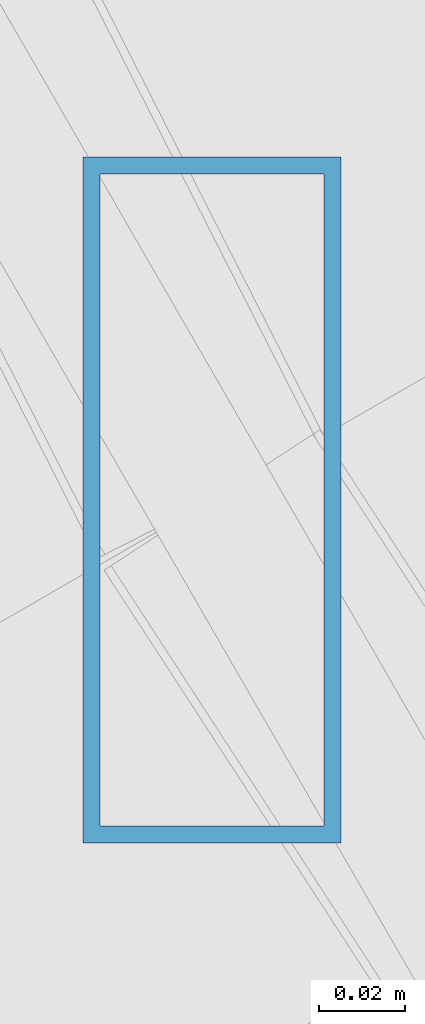
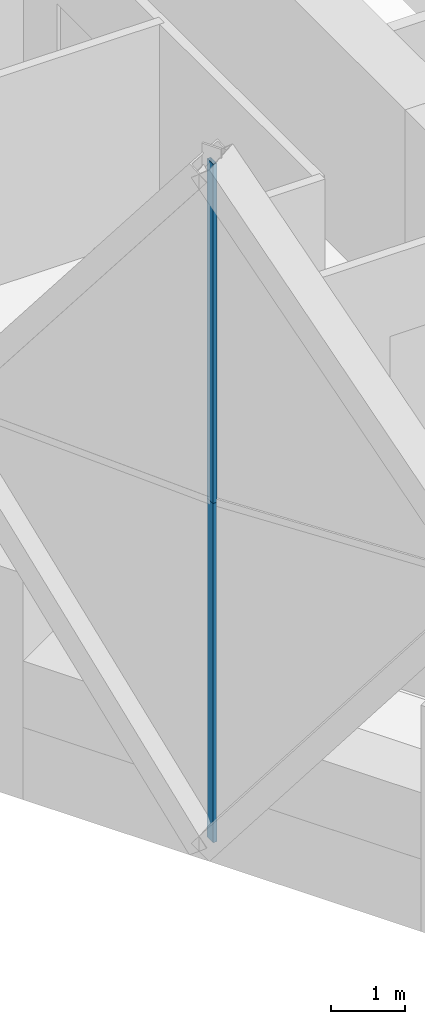
# One storey, part 3 of 18: 2 members, 1 element without a shape of its own.
"""IFC4 building model written with IfcOpenShell, lengths in metres."""

from ifc_helpers import new_model, si_unit, direction, frame, origin, origin_2d, place, context, subcontext, project, spatial, hollow_rectangle, extrude, material, material_profile, profile_set, type_object, element, aggregate, save


model = new_model("IFC4")

# Units and contexts
model_context = context("Model", 3, precision=1e-05, world=origin(), true_north=direction((0.0, 1.0)))
body_context = subcontext(model_context, "Body", "Model", "MODEL_VIEW")
ifc_project = project(units=[si_unit("LENGTHUNIT", "METRE"), si_unit("AREAUNIT", "SQUARE_METRE"), si_unit("VOLUMEUNIT", "CUBIC_METRE"), si_unit("PLANEANGLEUNIT", "RADIAN"), si_unit("MASSUNIT", "GRAM", prefix="KILO")], contexts=[model_context])

# Site, building, storey
site_placement = place(None, origin())
site = spatial("IfcSite", under=ifc_project, at=site_placement, CompositionType="ELEMENT")
building_placement = place(site_placement, origin())
building = spatial("IfcBuilding", under=site, at=building_placement, Name="Ostrander Bayou Hotel Tower", CompositionType="ELEMENT")
storey_placement = place(building_placement, frame((0.0, 0.0, 175.75)))
storey = spatial("IfcBuildingStorey", under=building, at=storey_placement, Name="L43", CompositionType="ELEMENT", Elevation=175.75)

# Curtain wall, members
ifc_material_1 = material(Name="Aluminium and clear glass", Category="aluminium")
curtain_wall_type = type_object("IfcCurtainWallType", Name="CW-LAT lattice glazing", PredefinedType="NOTDEFINED", material=ifc_material_1)
curtain_wall_placement = place(storey_placement, origin())
curtain_wall = element("IfcCurtainWall", 1, at=curtain_wall_placement, inside=storey, type_object=curtain_wall_type, Name="CW-LAT L43 SW 1", PredefinedType="NOTDEFINED")
ifc_material_2 = material(Name="Aluminium", Category="aluminium")
ifc_material_profile = material_profile(ifc_material_2, hollow_rectangle(XDim=0.06005859375, YDim=0.159912109375, WallThickness=0.00390625, at=origin_2d()))
ifc_profile_set = profile_set([ifc_material_profile], Name="Aluminium")
member_type = type_object("IfcMemberType", Name="CW-LA mullion 60 x 160 mm", PredefinedType="MULLION", material=ifc_profile_set)
member_1_placement = place(storey_placement, frame((-16.51513671875, -9.534912109375, -0.60009765625), z_axis=(0.0, 0.0, 1.0), x_axis=(1.0, 0.0, 0.0)))
member_1 = element("IfcMember", 2, at=member_1_placement, type_object=member_type, Name="CW-LAT mullion 4", PredefinedType="MULLION", context=body_context, shape_type="SweptSolid", body=[
    extrude(hollow_rectangle(XDim=0.06005859375, YDim=0.159912109375, WallThickness=0.00390625, at=origin_2d()), origin(), (0.0, 0.0, 1.0), 5.625),
])
member_2_placement = place(storey_placement, frame((-16.51513671875, -9.534912109375, 5.02490234375), z_axis=(0.0, 0.0, 1.0), x_axis=(1.0, 0.0, 0.0)))
member_2 = element("IfcMember", 3, at=member_2_placement, type_object=member_type, Name="CW-LAT mullion 5", PredefinedType="MULLION", context=body_context, shape_type="SweptSolid", body=[
    extrude(hollow_rectangle(XDim=0.06005859375, YDim=0.159912109375, WallThickness=0.00390625, at=origin_2d()), origin(), (0.0, 0.0, 1.0), 5.625),
])
aggregate(curtain_wall, [member_1, member_2])

save(model, "model.ifc")
